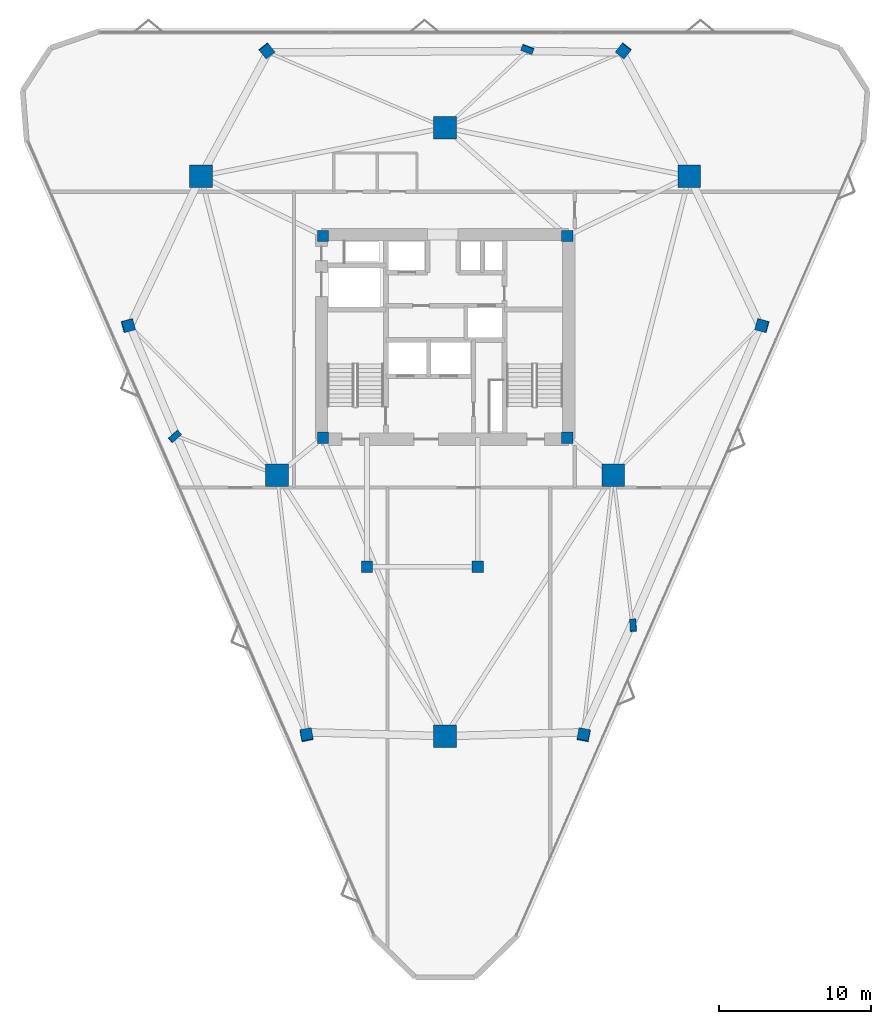
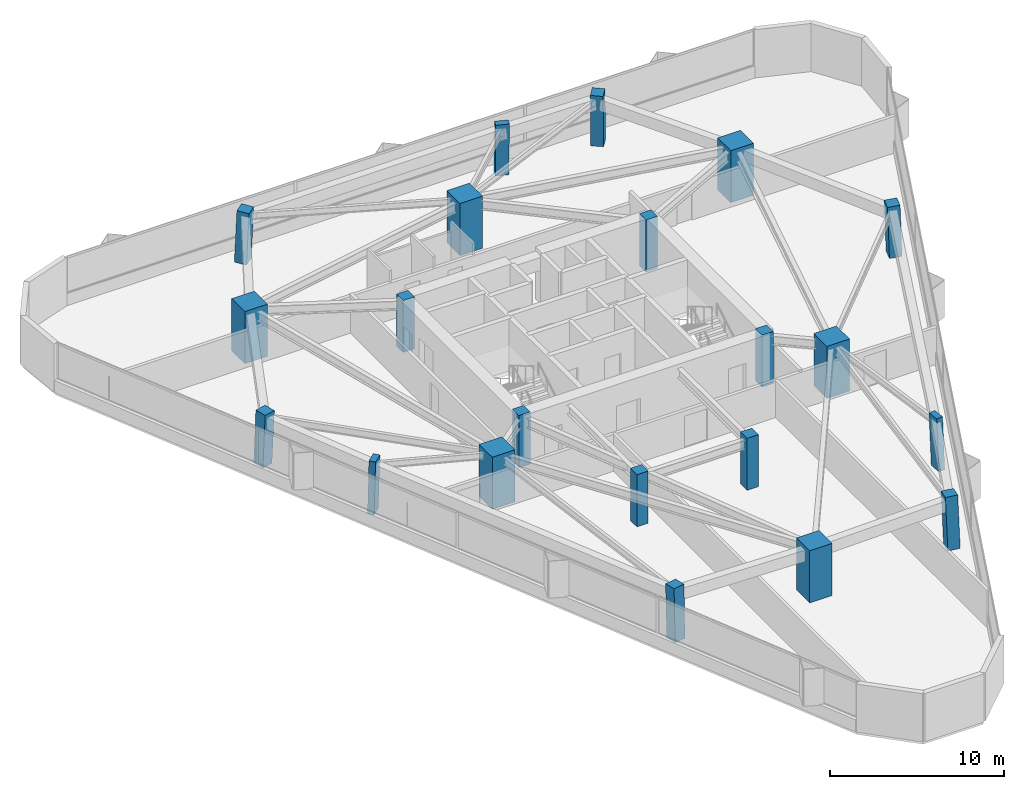
# One storey, part 1 of 11: 21 columns.
"""IFC4 building model written with IfcOpenShell, lengths in metres."""

import ifcopenshell
import ifcopenshell.guid

model = None  # the IFC model being written
_history = None  # IfcOwnerHistory: only IFC2X3 demands one
_inside = {}  # id of a spatial element -> (the spatial element, [elements in it])
_under = {}  # id of a project, library or spatial element -> (it, [spatial elements below it])
_declared = {}  # id of a project -> (the project, [libraries it declares])
_typed = {}  # id of a type object -> (the type object, [elements of that type])
_made_of = {}  # id of a material, layer set ... -> (it, [elements and type objects made of it])


def new_model(schema):
    """Start an empty IFC model of exactly this schema.

    Asked for "IFC4X3", IfcOpenShell would pick the latest addendum, in which some entities
    have other attributes; the version numbers below select the first issue.
    IFC2X3 requires an IfcOwnerHistory on every rooted entity: one is made here for all.
    """
    global model, _history
    if schema == "IFC4X3":
        model = ifcopenshell.file(schema_version=(4, 3, 0, 0))
    else:
        model = ifcopenshell.file(schema=schema)
    _inside.clear()
    _under.clear()
    _declared.clear()
    _typed.clear()
    _made_of.clear()
    _history = None
    if model.schema == "IFC2X3":
        org = make("IfcOrganization", Name="unknown")
        user = make(
            "IfcPersonAndOrganization",
            ThePerson=make("IfcPerson", FamilyName="unknown"),
            TheOrganization=org,
        )
        app = make(
            "IfcApplication",
            ApplicationDeveloper=org,
            Version="unknown",
            ApplicationFullName="unknown",
            ApplicationIdentifier="unknown",
        )
        _history = make(
            "IfcOwnerHistory",
            OwningUser=user,
            OwningApplication=app,
            ChangeAction="ADDED",
            CreationDate=0,
        )
    return model


def make(cls, **values):
    """One entity of the class cls with the attributes given. An attribute that is None is left unset."""
    return model.create_entity(
        cls, **{name: value for name, value in values.items() if value is not None}
    )


def rooted(cls, **values):
    """An entity with a GlobalId (a new one), such as an element, a storey or a relation."""
    return make(cls, GlobalId=ifcopenshell.guid.new(), OwnerHistory=_history, **values)


def si_unit(unit_type, name, prefix=None):
    """IfcSIUnit, for example si_unit("LENGTHUNIT", "METRE", prefix="MILLI")."""
    return make("IfcSIUnit", UnitType=unit_type, Prefix=prefix, Name=name)


def assignment(units):
    """IfcUnitAssignment: the units of a project."""
    return None if units is None else make("IfcUnitAssignment", Units=units)


def point(xyz):
    """IfcCartesianPoint."""
    return None if xyz is None else make("IfcCartesianPoint", Coordinates=xyz)


def direction(xyz):
    """IfcDirection."""
    return None if xyz is None else make("IfcDirection", DirectionRatios=xyz)


def frame(location, z_axis=None, x_axis=None):
    """IfcAxis2Placement3D, a coordinate frame: its origin and axes. An axis left out is left unset."""
    return make(
        "IfcAxis2Placement3D",
        Location=point(location),
        Axis=direction(z_axis),
        RefDirection=direction(x_axis),
    )


def frame_2d(location, x_axis=None):
    """IfcAxis2Placement2D, a coordinate frame in the plane: its origin and x axis."""
    return make(
        "IfcAxis2Placement2D", Location=point(location), RefDirection=direction(x_axis)
    )


def origin():
    """The frame at (0, 0, 0) with its axes left unset."""
    return frame((0.0, 0.0, 0.0))


def origin_2d():
    """The frame at (0, 0) in the plane with its x axis left unset."""
    return frame_2d((0.0, 0.0))


def place(relative_to, where):
    """IfcLocalPlacement: puts the frame where relative to a parent placement (None: the world)."""
    return make(
        "IfcLocalPlacement", PlacementRelTo=relative_to, RelativePlacement=where
    )


def context(
    kind, dimensions, precision=None, world=None, true_north=None, identifier=None
):
    """IfcGeometricRepresentationContext, for example the 3D "Model" context."""
    return make(
        "IfcGeometricRepresentationContext",
        ContextIdentifier=identifier,
        ContextType=kind,
        CoordinateSpaceDimension=dimensions,
        Precision=precision,
        WorldCoordinateSystem=world,
        TrueNorth=true_north,
    )


def subcontext(parent, identifier, kind, view, scale=None):
    """IfcGeometricRepresentationSubContext, for example "Body" below "Model"."""
    return make(
        "IfcGeometricRepresentationSubContext",
        ContextIdentifier=identifier,
        ContextType=kind,
        ParentContext=parent,
        TargetScale=scale,
        TargetView=view,
    )


def project(units=None, contexts=None):
    """IfcProject with its units and contexts."""
    return rooted(
        "IfcProject",
        Name="project",
        RepresentationContexts=contexts,
        UnitsInContext=assignment(units),
    )


def spatial(cls, under=None, at=None, **own):
    """A site, building, storey or space (cls), placed at a placement, below another one or the project."""
    s = rooted(cls, ObjectPlacement=at, **own)
    if under is not None:
        _under.setdefault(under.id(), (under, []))[1].append(s)
    return s


def profile(cls, at=None, kind="AREA", **sizes):
    """A parametric profile (cls). Its sizes go by their IFC names, for example OverallWidth=200.0."""
    return make(cls, ProfileType=kind, Position=at, **sizes)


def rectangle(**sizes):
    """IfcRectangleProfileDef."""
    return profile("IfcRectangleProfileDef", **sizes)


def extrude(swept, where, along, depth):
    """IfcExtrudedAreaSolid: the profile swept, set in the frame where, extruded along a direction by depth."""
    return make(
        "IfcExtrudedAreaSolid",
        SweptArea=swept,
        Position=where,
        ExtrudedDirection=direction(along),
        Depth=depth,
    )


def shape(context_of_items, identifier, shape_type, items):
    """IfcShapeRepresentation: the items that make up one representation, for example the "Body"."""
    return make(
        "IfcShapeRepresentation",
        ContextOfItems=context_of_items,
        RepresentationIdentifier=identifier,
        RepresentationType=shape_type,
        Items=items,
    )


def material(Name=None, Category=None):
    """IfcMaterial."""
    return make("IfcMaterial", Name=Name, Category=Category)


def material_profile(
    of_material, cross_section, Name=None, Category=None, Priority=None
):
    """IfcMaterialProfile: a cross section and its material."""
    return make(
        "IfcMaterialProfile",
        Name=Name,
        Material=of_material,
        Profile=cross_section,
        Priority=Priority,
        Category=Category,
    )


def profile_set(profiles, Name=None, composite=None):
    """IfcMaterialProfileSet."""
    return make(
        "IfcMaterialProfileSet",
        Name=Name,
        MaterialProfiles=profiles,
        CompositeProfile=composite,
    )


def made_of(thing, what):
    """Note that an element or type object is made of a material, layer set ...; save() writes the relation."""
    if what is not None:
        _made_of.setdefault(what.id(), (what, []))[1].append(thing)
    return thing


def type_object(cls, material=None, **own):
    """A type object (cls), such as IfcWallType, which elements share."""
    return made_of(rooted(cls, **own), material)


def element(
    cls,
    number,
    at=None,
    inside=None,
    cuts=None,
    type_object=None,
    material=None,
    context=None,
    identifier="Body",
    shape_type=None,
    held_by="IfcProductDefinitionShape",
    body=None,
    shapes=None,
    **own,
):
    """One element of the class cls, such as IfcWall. Its Tag is "e" and its number.

    at: its placement. inside: the storey or other place that contains it. cuts: it is an
    opening in that element (IfcRelVoidsElement). A single representation is given by context,
    identifier, shape_type and body (its items); several are given by shapes. held_by: the class
    of the entity that holds the representations. save() writes the other relations.
    """
    e = rooted(cls, Tag="e%d" % number, ObjectPlacement=at, **own)
    if body is not None:
        shapes = [shape(context, identifier, shape_type, body)]
    if shapes is not None:
        e.Representation = make(held_by, Representations=shapes)
    if inside is not None:
        _inside.setdefault(inside.id(), (inside, []))[1].append(e)
    if cuts is not None:
        rooted(
            "IfcRelVoidsElement", RelatingBuildingElement=cuts, RelatedOpeningElement=e
        )
    if type_object is not None:
        _typed.setdefault(type_object.id(), (type_object, []))[1].append(e)
    return made_of(e, material)


def aggregate(whole, parts):
    """IfcRelAggregates: a whole, such as a stair, and the parts it consists of."""
    return rooted("IfcRelAggregates", RelatingObject=whole, RelatedObjects=parts)


def save(model, path):
    """Write the relations noted so far, then the file.

    IfcRelAggregates (storeys below a building ...), IfcRelContainedInSpatialStructure (elements
    in a storey), IfcRelDefinesByType, IfcRelAssociatesMaterial and IfcRelDeclares: one each for
    every whole, place, type object, material and project.
    """
    for whole, parts in _under.values():
        aggregate(whole, parts)
    for where, things in _inside.values():
        rooted(
            "IfcRelContainedInSpatialStructure",
            RelatedElements=things,
            RelatingStructure=where,
        )
    for kind, things in _typed.values():
        rooted("IfcRelDefinesByType", RelatedObjects=things, RelatingType=kind)
    for what, things in _made_of.values():
        rooted("IfcRelAssociatesMaterial", RelatedObjects=things, RelatingMaterial=what)
    for by, libraries in _declared.values():
        rooted("IfcRelDeclares", RelatingContext=by, RelatedDefinitions=libraries)
    model.write(path)


model = new_model("IFC4")

# Units and contexts
model_context = context("Model", 3, precision=1e-05, world=origin(), true_north=direction((0.0, 1.0)))
body_context = subcontext(model_context, "Body", "Model", "MODEL_VIEW")
ifc_project = project(units=[si_unit("LENGTHUNIT", "METRE"), si_unit("AREAUNIT", "SQUARE_METRE"), si_unit("VOLUMEUNIT", "CUBIC_METRE"), si_unit("PLANEANGLEUNIT", "RADIAN"), si_unit("MASSUNIT", "GRAM", prefix="KILO")], contexts=[model_context])

# Site, building, storey
site_placement = place(None, origin())
site = spatial("IfcSite", under=ifc_project, at=site_placement, CompositionType="ELEMENT")
building_placement = place(site_placement, origin())
building = spatial("IfcBuilding", under=site, at=building_placement, Name="Talyreon Biosciences Tower", CompositionType="ELEMENT")
storey_placement = place(building_placement, frame((0.0, 0.0, 163.699951171875)))
storey = spatial("IfcBuildingStorey", under=building, at=storey_placement, Name="L43", CompositionType="ELEMENT", Elevation=163.699951171875)

# Columns
ifc_material_1 = material(Name="Precast concrete C45/55", Category="concrete")
ifc_material_profile_1 = material_profile(ifc_material_1, rectangle(XDim=0.800048828125, YDim=0.39990234375, at=origin_2d()), Name="RC 800x400")
ifc_profile_set_1 = profile_set([ifc_material_profile_1], Name="Precast concrete C45/55")
column_type_1 = type_object("IfcColumnType", Name="FacadePilaster_800x400", PredefinedType="PILASTER", material=ifc_profile_set_1)
column_1_placement = place(storey_placement, frame((78.4072265625, 48.95849609375, 0.0029296875), z_axis=(-0.019611953815, 0.038353752683, 0.999071749637), x_axis=(0.061351827445, -0.997334638701, 0.0394914132)))
element("IfcColumn", 1, at=column_1_placement, inside=storey, type_object=column_type_1, Name="L43 Facade Pilaster PL-SE", PredefinedType="PILASTER", context=body_context, shape_type="SweptSolid", body=[
    extrude(rectangle(XDim=0.800048828125, YDim=0.39990234375, at=origin_2d()), origin(), (0.0, 0.0, 1.0), 3.6474609375),
])
column_2_placement = place(storey_placement, frame((71.43310546875, 86.980224609375, 0.0029296875), z_axis=(-0.01238655289, -0.033544124313, 0.999360478022), x_axis=(-0.9380871136, 0.346399433166, 0.0)))
element("IfcColumn", 2, at=column_2_placement, inside=storey, type_object=column_type_1, Name="L43 Facade Pilaster PL-N", PredefinedType="PILASTER", context=body_context, shape_type="SweptSolid", body=[
    extrude(rectangle(XDim=0.800048828125, YDim=0.39990234375, at=origin_2d()), origin(), (0.0, 0.0, 1.0), 3.646484375),
])
column_3_placement = place(storey_placement, frame((48.159423828125, 61.428466796875, 0.0029296875), z_axis=(0.032073344648, 0.010579516606, 0.999429524475), x_axis=(0.744998656848, 0.666347028651, -0.03096189114)))
element("IfcColumn", 3, at=column_3_placement, inside=storey, type_object=column_type_1, Name="L43 Facade Pilaster PL-SW", PredefinedType="PILASTER", context=body_context, shape_type="SweptSolid", body=[
    extrude(rectangle(XDim=0.800048828125, YDim=0.39990234375, at=origin_2d()), origin(), (0.0, 0.0, 1.0), 3.646240234375),
])
ifc_material_2 = material(Name="Concrete C60/75", Category="concrete")
ifc_material_profile_2 = material_profile(ifc_material_2, rectangle(XDim=1.5, YDim=1.5, at=origin_2d()), Name="RC 1500x1500")
ifc_profile_set_2 = profile_set([ifc_material_profile_2], Name="Concrete C60/75")
column_type_2 = type_object("IfcColumnType", Name="MegaColumn_1500", PredefinedType="COLUMN", material=ifc_profile_set_2)
for number, where, z_axis, x_axis, name in (
    (4, (66.0, 41.6669921875, 0.0), (0.0, 0.0, 1.0), (1.0, 0.0, 0.0), "L43 Composite Mega-Column MC1"),
    (5, (82.102294921875, 78.5986328125, 0.0), (0.0, 0.0, 1.0), (1.0, 0.0, 0.0), "L43 Composite Mega-Column MC2"),
    (6, (49.897705078125, 78.5986328125, 0.0), (0.0, 0.0, 1.0), (1.0, 0.0, 0.0), "L43 Composite Mega-Column MC3"),
    (7, (77.086181640625, 58.88037109375, 0.0), (0.0, 0.0, 1.0), (1.0, 0.0, 0.0), "L43 Composite Mega-Column MC4"),
    (8, (66.0, 81.788818359375, 0.0), (0.0, 0.0, 1.0), (1.0, 0.0, 0.0), "L43 Composite Mega-Column MC5"),
    (9, (54.913818359375, 58.88037109375, 0.0), (0.0, 0.0, 1.0), (1.0, 0.0, 0.0), "L43 Composite Mega-Column MC6"),
):
    element("IfcColumn", number, at=place(storey_placement, frame(where, z_axis=z_axis, x_axis=x_axis)), inside=storey, type_object=column_type_2, Name=name, PredefinedType="COLUMN", context=body_context, shape_type="SweptSolid", body=[
        extrude(rectangle(XDim=1.5, YDim=1.5, at=origin_2d()), origin(), (0.0, 0.0, 1.0), 3.650146484375),
    ])
ifc_material_3 = material(Name="Concrete C50/60", Category="concrete")
ifc_material_profile_3 = material_profile(ifc_material_3, rectangle(XDim=0.75, YDim=0.75, at=origin_2d()), Name="RC 750x750")
ifc_profile_set_3 = profile_set([ifc_material_profile_3], Name="Concrete C50/60")
column_type_3 = type_object("IfcColumnType", Name="PerimeterColumn_750", PredefinedType="COLUMN", material=ifc_profile_set_3)
for number, where, z_axis, x_axis, name in (
    (10, (57.949951171875, 61.35009765625, 0.0), (0.0, 0.0, 1.0), (1.0, 0.0, 0.0), "L43 Core Column CC1"),
    (11, (74.050048828125, 61.35009765625, 0.0), (0.0, 0.0, 1.0), (1.0, 0.0, 0.0), "L43 Core Column CC2"),
    (12, (74.050048828125, 74.64990234375, 0.0), (0.0, 0.0, 1.0), (1.0, 0.0, 0.0), "L43 Core Column CC3"),
    (13, (57.949951171875, 74.64990234375, 0.0), (0.0, 0.0, 1.0), (1.0, 0.0, 0.0), "L43 Core Column CC4"),
    (14, (60.85009765625, 52.840087890625, 0.0), (0.0, 0.0, 1.0), (1.0, 0.0, 0.0), "L43 Core Column CSW"),
    (15, (68.14990234375, 52.840087890625, 0.0), (0.0, 0.0, 1.0), (1.0, 0.0, 0.0), "L43 Core Column CSE"),
):
    element("IfcColumn", number, at=place(storey_placement, frame(where, z_axis=z_axis, x_axis=x_axis)), inside=storey, type_object=column_type_3, Name=name, PredefinedType="COLUMN", context=body_context, shape_type="SweptSolid", body=[
        extrude(rectangle(XDim=0.75, YDim=0.75, at=origin_2d()), origin(), (0.0, 0.0, 1.0), 3.650146484375),
    ])
column_4_placement = place(storey_placement, frame((75.146240234375, 41.724365234375, 0.0029296875), z_axis=(-0.012375141264, 0.054450621561, 0.998439775695), x_axis=(-0.18664784946, -0.981092271609, 0.051191160186)))
element("IfcColumn", 16, at=column_4_placement, inside=storey, type_object=column_type_3, Name="L43 Tapering Perimeter Column PC-SE1", PredefinedType="COLUMN", context=body_context, shape_type="SweptSolid", body=[
    extrude(rectangle(XDim=0.75, YDim=0.75, at=origin_2d()), origin(), (0.0, 0.0, 1.0), 3.649658203125),
])
column_5_placement = place(storey_placement, frame((86.918212890625, 68.74267578125, 0.0029296875), z_axis=(-0.039296334646, -0.005690269923, 0.99921139851), x_axis=(0.963825309142, -0.264037376151, 0.036401063881)))
element("IfcColumn", 17, at=column_5_placement, inside=storey, type_object=column_type_3, Name="L43 Tapering Perimeter Column PC-SE2", PredefinedType="COLUMN", context=body_context, shape_type="SweptSolid", body=[
    extrude(rectangle(XDim=0.75, YDim=0.75, at=origin_2d()), origin(), (0.0, 0.0, 1.0), 3.64697265625),
])
for number, where, z_axis, x_axis, name in (
    (18, (77.77197265625, 86.88037109375, 0.0029296875), (-0.026841076243, -0.033534611465, 0.999077067328), (-0.780716755404, 0.624885067698, 0.0), "L43 Tapering Perimeter Column PC-N1"),
    (19, (54.22802734375, 86.88037109375, 0.0029296875), (0.026841076243, -0.033534611465, 0.999077067328), (-0.780716755404, -0.624885067698, 0.0), "L43 Tapering Perimeter Column PC-N2"),
):
    element("IfcColumn", number, at=place(storey_placement, frame(where, z_axis=z_axis, x_axis=x_axis)), inside=storey, type_object=column_type_3, Name=name, PredefinedType="COLUMN", context=body_context, shape_type="SweptSolid", body=[
        extrude(rectangle(XDim=0.75, YDim=0.75, at=origin_2d()), origin(), (0.0, 0.0, 1.0), 3.6474609375),
    ])
column_6_placement = place(storey_placement, frame((45.081787109375, 68.74267578125, 0.0029296875), z_axis=(0.039296334646, -0.005690269923, 0.99921139851), x_axis=(0.963825309142, 0.264037376151, -0.036401063881)))
element("IfcColumn", 20, at=column_6_placement, inside=storey, type_object=column_type_3, Name="L43 Tapering Perimeter Column PC-SW1", PredefinedType="COLUMN", context=body_context, shape_type="SweptSolid", body=[
    extrude(rectangle(XDim=0.75, YDim=0.75, at=origin_2d()), origin(), (0.0, 0.0, 1.0), 3.64697265625),
])
column_7_placement = place(storey_placement, frame((56.853759765625, 41.724365234375, 0.0029296875), z_axis=(0.012375141264, 0.054450621561, 0.998439775695), x_axis=(-0.18664784946, 0.981092271609, -0.051191160186)))
element("IfcColumn", 21, at=column_7_placement, inside=storey, type_object=column_type_3, Name="L43 Tapering Perimeter Column PC-SW2", PredefinedType="COLUMN", context=body_context, shape_type="SweptSolid", body=[
    extrude(rectangle(XDim=0.75, YDim=0.75, at=origin_2d()), origin(), (0.0, 0.0, 1.0), 3.649658203125),
])

save(model, "model.ifc")
